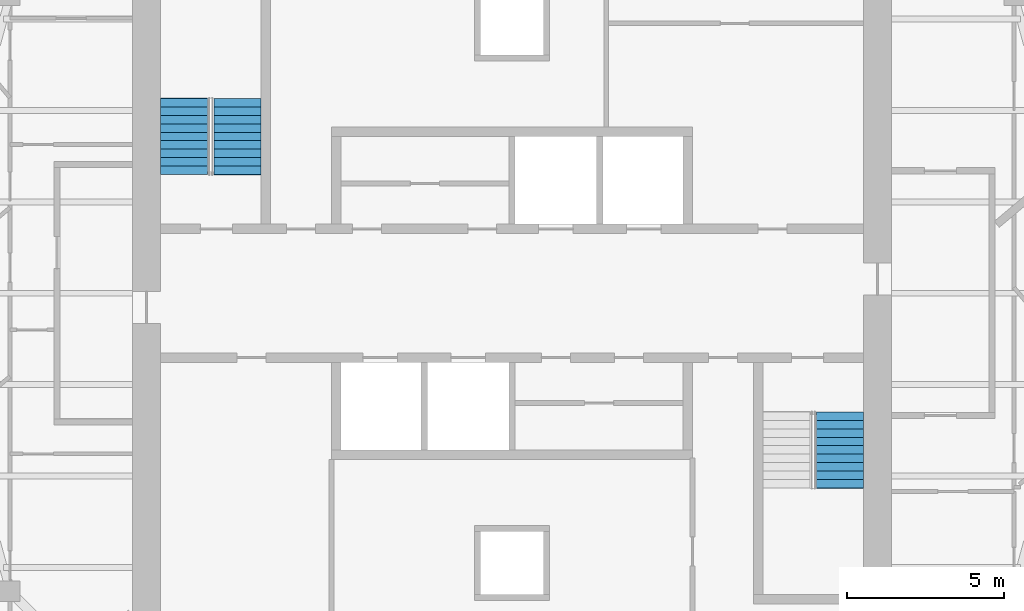
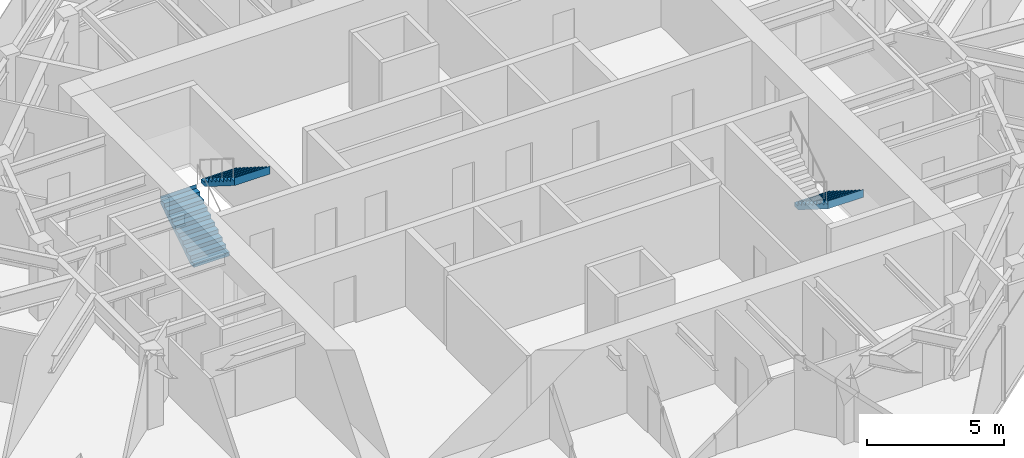
# One storey, part 11 of 12: 3 stair flights, 2 elements without a shape of their own.
"""IFC4 building model written with IfcOpenShell, lengths in metres."""

from ifc_helpers import new_model, si_unit, direction, frame, origin, place, context, subcontext, project, spatial, polyline, outline, extrude, material, type_object, element, aggregate, save


model = new_model("IFC4")

# Units and contexts
model_context = context("Model", 3, precision=1e-05, world=origin(), true_north=direction((0.0, 1.0)))
body_context = subcontext(model_context, "Body", "Model", "MODEL_VIEW")
ifc_project = project(units=[si_unit("LENGTHUNIT", "METRE"), si_unit("AREAUNIT", "SQUARE_METRE"), si_unit("VOLUMEUNIT", "CUBIC_METRE"), si_unit("PLANEANGLEUNIT", "RADIAN"), si_unit("MASSUNIT", "GRAM", prefix="KILO")], contexts=[model_context])

# Site, building, storey
site_placement = place(None, origin())
site = spatial("IfcSite", under=ifc_project, at=site_placement, CompositionType="ELEMENT")
building_placement = place(site_placement, origin())
building = spatial("IfcBuilding", under=site, at=building_placement, Name="Torsade Residences", CompositionType="ELEMENT")
storey_placement = place(building_placement, frame((0.0, 0.0, 286.199951171875)))
storey = spatial("IfcBuildingStorey", under=building, at=storey_placement, Name="L79", CompositionType="ELEMENT", Elevation=286.199951171875)

# Stair, stair flights
ifc_material_1 = material(Name="Precast concrete 40 MPa", Category="concrete")
stair_type = type_object("IfcStairType", Name="HALF-TURN FIRE STAIR 1500x3400", PredefinedType="HALF_TURN_STAIR", material=ifc_material_1)
stair_1_placement = place(storey_placement, origin())
stair_1 = element("IfcStair", 1, at=stair_1_placement, inside=storey, type_object=stair_type, Name="Stair ST1 L79", PredefinedType="HALF_TURN_STAIR")
ifc_material_2 = material(Name="Precast concrete 40 MPa", Category="concrete")
stair_flight_type = type_object("IfcStairFlightType", Name="PRECAST STAIR FLIGHT 1500x1700", PredefinedType="STRAIGHT", material=ifc_material_2)
stair_flight_1_placement = place(storey_placement, frame((29.550048828125, 33.780029296875, 0.0), z_axis=(0.0, 0.0, 1.0), x_axis=(0.0, 1.0, 0.0)))
stair_flight_1 = element("IfcStairFlight", 2, at=stair_flight_1_placement, type_object=stair_flight_type, Name="ST1 flight 1", NumberOfRisers=10, NumberOfTreads=9, PredefinedType="STRAIGHT", RiserHeight=0.17, TreadLength=0.27, context=body_context, shape_type="SweptSolid", body=[
    extrude(outline(polyline([(0.0, 0.0), (0.0, 0.169921875), (0.27001953125, 0.169921875), (0.27001953125, 0.340087890625), (0.5400390625, 0.340087890625), (0.5400390625, 0.510009765625), (0.81005859375, 0.510009765625), (0.81005859375, 0.679931640625), (1.080078125, 0.679931640625), (1.080078125, 0.85009765625), (1.35009765625, 0.85009765625), (1.35009765625, 1.02001953125), (1.6201171875, 1.02001953125), (1.6201171875, 1.18994140625), (1.889892578125, 1.18994140625), (1.889892578125, 1.360107421875), (2.159912109375, 1.360107421875), (2.159912109375, 1.530029296875), (2.429931640625, 1.530029296875), (2.429931640625, 1.699951171875), (2.43994140625, 1.699951171875), (2.43994140625, 1.352783203125), (2.429931640625, 1.352783203125), (0.28125, 0.0), (0.0, 0.0)])), frame((0.0, 0.75, 0.0), z_axis=(0.0, -1.0, 0.0), x_axis=(1.0, 0.0, 0.0)), (0.0, 0.0, 1.0), 1.5),
])
stair_flight_2_placement = place(storey_placement, frame((31.25, 36.2099609375, 1.699951171875), z_axis=(0.0, 0.0, 1.0), x_axis=(0.0, -1.0, 0.0)))
stair_flight_2 = element("IfcStairFlight", 3, at=stair_flight_2_placement, type_object=stair_flight_type, Name="ST1 flight 2", NumberOfRisers=10, NumberOfTreads=9, PredefinedType="STRAIGHT", RiserHeight=0.17, TreadLength=0.27, context=body_context, shape_type="SweptSolid", body=[
    extrude(outline(polyline([(0.0, 0.0), (0.0, 0.169921875), (0.27001953125, 0.169921875), (0.27001953125, 0.340087890625), (0.5400390625, 0.340087890625), (0.5400390625, 0.510009765625), (0.81005859375, 0.510009765625), (0.81005859375, 0.679931640625), (1.080078125, 0.679931640625), (1.080078125, 0.85009765625), (1.35009765625, 0.85009765625), (1.35009765625, 1.02001953125), (1.6201171875, 1.02001953125), (1.6201171875, 1.18994140625), (1.889892578125, 1.18994140625), (1.889892578125, 1.360107421875), (2.159912109375, 1.360107421875), (2.159912109375, 1.530029296875), (2.429931640625, 1.530029296875), (2.429931640625, 1.699951171875), (2.43994140625, 1.699951171875), (2.43994140625, 1.352783203125), (2.429931640625, 1.352783203125), (0.28125, 0.0), (0.0, 0.0)])), frame((0.0, 0.75, 0.0), z_axis=(0.0, -1.0, 0.0), x_axis=(1.0, 0.0, 0.0)), (0.0, 0.0, 1.0), 1.5),
])
aggregate(stair_1, [stair_flight_1, stair_flight_2])

# Stair, stair flight
stair_2_placement = place(storey_placement, origin())
stair_2 = element("IfcStair", 4, at=stair_2_placement, inside=storey, type_object=stair_type, Name="Stair ST2 L79", PredefinedType="HALF_TURN_STAIR")
stair_flight_3_placement = place(storey_placement, frame((50.449951171875, 26.219970703125, 0.0), z_axis=(0.0, 0.0, 1.0), x_axis=(0.0, -1.0, 0.0)))
stair_flight_3 = element("IfcStairFlight", 5, at=stair_flight_3_placement, type_object=stair_flight_type, Name="ST2 flight 1", NumberOfRisers=10, NumberOfTreads=9, PredefinedType="STRAIGHT", RiserHeight=0.17, TreadLength=0.27, context=body_context, shape_type="SweptSolid", body=[
    extrude(outline(polyline([(0.0, 0.0), (0.0, 0.169921875), (0.27001953125, 0.169921875), (0.27001953125, 0.340087890625), (0.5400390625, 0.340087890625), (0.5400390625, 0.510009765625), (0.81005859375, 0.510009765625), (0.81005859375, 0.679931640625), (1.080078125, 0.679931640625), (1.080078125, 0.85009765625), (1.35009765625, 0.85009765625), (1.35009765625, 1.02001953125), (1.6201171875, 1.02001953125), (1.6201171875, 1.18994140625), (1.889892578125, 1.18994140625), (1.889892578125, 1.360107421875), (2.159912109375, 1.360107421875), (2.159912109375, 1.530029296875), (2.429931640625, 1.530029296875), (2.429931640625, 1.699951171875), (2.43994140625, 1.699951171875), (2.43994140625, 1.352783203125), (2.429931640625, 1.352783203125), (0.28125, 0.0), (0.0, 0.0)])), frame((0.0, 0.75, 0.0), z_axis=(0.0, -1.0, 0.0), x_axis=(1.0, 0.0, 0.0)), (0.0, 0.0, 1.0), 1.5),
])
aggregate(stair_2, [stair_flight_3])

save(model, "model.ifc")
